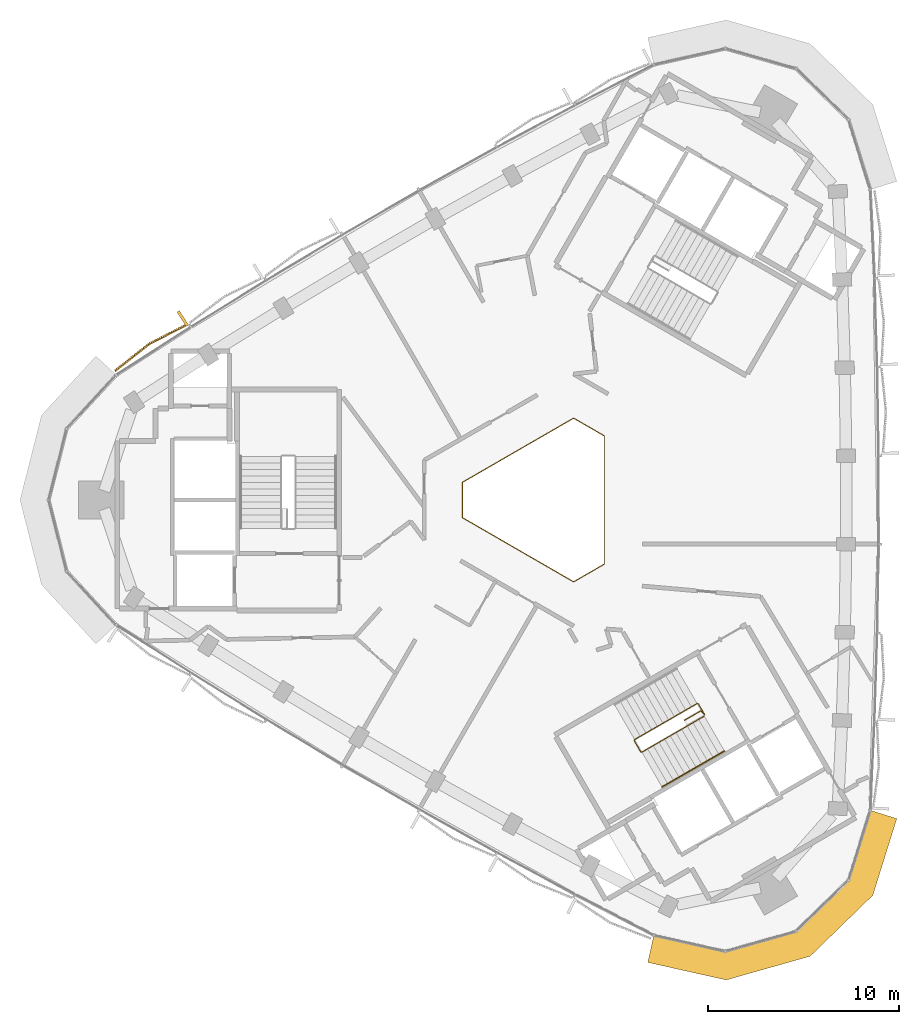
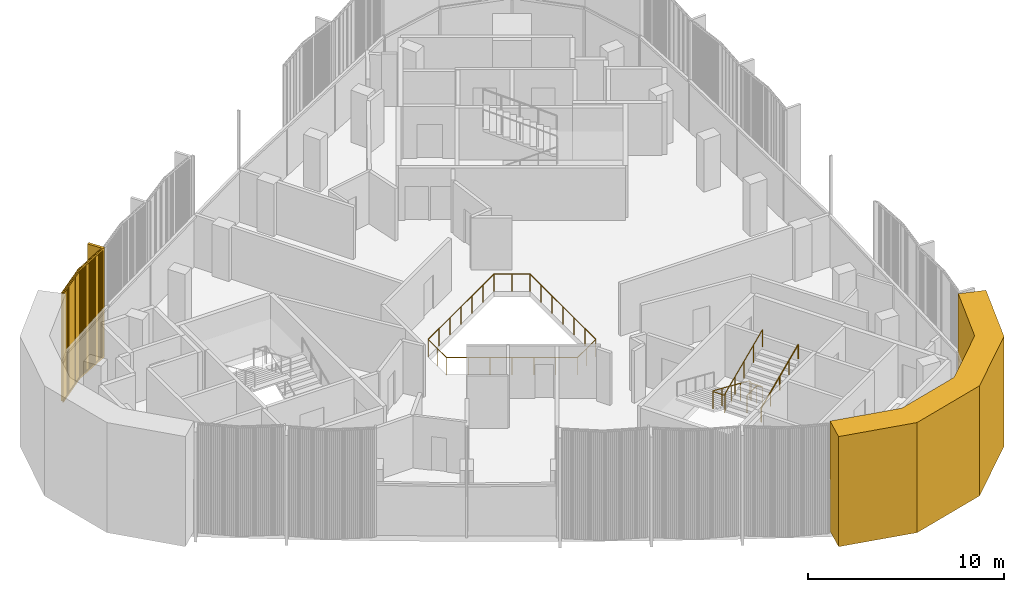
# One storey, part 11 of 13: 3 railings, 2 coverings.
"""IFC4 building model written with IfcOpenShell, lengths in metres."""

from ifc_helpers import new_model, si_unit, direction, frame, frame_2d, origin, origin_2d, place, context, subcontext, project, spatial, polyline, rectangle, circle, outline, extrude, source, transform, mapped, material, layer, layer_set, type_object, element, save


model = new_model("IFC4")

# Units and contexts
model_context = context("Model", 3, precision=1e-05, world=origin(), true_north=direction((0.0, 1.0)))
body_context = subcontext(model_context, "Body", "Model", "MODEL_VIEW")
ifc_project = project(units=[si_unit("LENGTHUNIT", "METRE"), si_unit("AREAUNIT", "SQUARE_METRE"), si_unit("VOLUMEUNIT", "CUBIC_METRE"), si_unit("PLANEANGLEUNIT", "RADIAN"), si_unit("MASSUNIT", "GRAM", prefix="KILO")], contexts=[model_context])

# Site, building, storey
site_placement = place(None, origin())
site = spatial("IfcSite", under=ifc_project, at=site_placement, CompositionType="ELEMENT")
building_placement = place(site_placement, origin())
building = spatial("IfcBuilding", under=site, at=building_placement, Name="Tamra Quay Hotel Tower", CompositionType="ELEMENT")
storey_placement = place(building_placement, frame((0.0, 0.0, 291.0)))
storey = spatial("IfcBuildingStorey", under=building, at=storey_placement, Name="L73", CompositionType="ELEMENT", Elevation=291.0)

# Covering
ifc_material_1 = material(Name="Precast concrete M60 terracotta-coloured", Category="masonry")
ifc_layer = layer(ifc_material_1, 1.449951171875)
ifc_layer_set = layer_set([ifc_layer], Name="CORNER PIER PANEL")
covering_type_1 = type_object("IfcCoveringType", Name="CORNER PIER PANEL", PredefinedType="CLADDING", material=ifc_layer_set)
covering_1_placement = place(storey_placement, origin())
element("IfcCovering", 1, at=covering_1_placement, inside=storey, type_object=covering_type_1, Name="Corner pier L73.south-west", PredefinedType="CLADDING", context=body_context, shape_type="SweptSolid", body=[
    extrude(outline(polyline([(5.58837890625, -22.740966796875), (5.271240234375, -24.15576171875), (9.366943359375, -25.07421875), (13.759521484375, -23.832275390625), (17.031494140625, -20.649169921875), (18.283935546875, -16.642822265625), (16.89990234375, -16.210205078125), (15.757080078125, -19.865966796875), (13.01171875, -22.536865234375), (9.325927734375, -23.5791015625), (5.58837890625, -22.740966796875)])), origin(), (0.0, 0.0, 1.0), 6.85009765625),
])

# Railings
ifc_material_2 = material(Name="Guard atrium edge 1100")
railing_type_1 = type_object("IfcRailingType", Name="Guard atrium edge 1100", PredefinedType="GUARDRAIL", material=ifc_material_2)
railing_1_placement = place(storey_placement, frame((3.0, -3.34912109375, 0.0)))
element("IfcRailing", 2, at=railing_1_placement, inside=storey, type_object=railing_type_1, Name="G-A", PredefinedType="GUARDRAIL", context=body_context, shape_type="SweptSolid", body=[
    extrude(circle(Radius=0.02392578125, at=origin_2d()), frame((0.0, 0.0, 1.076171875), z_axis=(-0.866251590862, -0.499608027687, 0.0), x_axis=(0.499608027687, -0.866251590862, 0.0)), (0.0, 0.0, 1.0), 1.84716796875),
    extrude(circle(Radius=0.02392578125, at=origin_2d()), frame((-1.60009765625, -0.9228515625, 1.076171875), z_axis=(-0.866065387416, 0.499930739924, 0.0), x_axis=(-0.499930739924, -0.866065387416, 0.0)), (0.0, 0.0, 1.0), 6.69677734375),
    extrude(circle(Radius=0.02392578125, at=origin_2d()), frame((-7.39990234375, 2.425048828125, 1.076171875), z_axis=(0.0, 1.0, 0.0), x_axis=(-1.0, 0.0, 0.0)), (0.0, 0.0, 1.0), 1.84814453125),
    extrude(circle(Radius=0.02392578125, at=origin_2d()), frame((-7.39990234375, 4.273193359375, 1.076171875), z_axis=(0.866065387416, 0.499930739924, 0.0), x_axis=(-0.499930739924, 0.866065387416, 0.0)), (0.0, 0.0, 1.0), 6.69677734375),
    extrude(circle(Radius=0.02392578125, at=origin_2d()), frame((-1.60009765625, 7.62109375, 1.076171875), z_axis=(0.866251590862, -0.499608027687, 0.0), x_axis=(0.499608027687, 0.866251590862, 0.0)), (0.0, 0.0, 1.0), 1.84716796875),
    extrude(circle(Radius=0.02392578125, at=origin_2d()), frame((0.0, 6.6982421875, 1.076171875), z_axis=(0.0, -1.0, 0.0), x_axis=(1.0, 0.0, 0.0)), (0.0, 0.0, 1.0), 6.6982421875),
    extrude(circle(Radius=0.02099609375, at=origin_2d()), origin(), (0.0, 0.0, 1.0), 1.052001953125),
    extrude(circle(Radius=0.02099609375, at=origin_2d()), frame((-0.800048828125, -0.46142578125, 0.0)), (0.0, 0.0, 1.0), 1.052001953125),
    extrude(circle(Radius=0.02099609375, at=origin_2d()), frame((-1.60009765625, -0.9228515625, 0.0)), (0.0, 0.0, 1.0), 1.052001953125),
    extrude(circle(Radius=0.02099609375, at=origin_2d()), frame((-2.566650390625, -0.36474609375, 0.0)), (0.0, 0.0, 1.0), 1.052001953125),
    extrude(circle(Radius=0.02099609375, at=origin_2d()), frame((-3.533447265625, 0.193115234375, 0.0)), (0.0, 0.0, 1.0), 1.052001953125),
    extrude(circle(Radius=0.02099609375, at=origin_2d()), frame((-4.5, 0.7509765625, 0.0)), (0.0, 0.0, 1.0), 1.052001953125),
    extrude(circle(Radius=0.02099609375, at=origin_2d()), frame((-5.466552734375, 1.30908203125, 0.0)), (0.0, 0.0, 1.0), 1.052001953125),
    extrude(circle(Radius=0.02099609375, at=origin_2d()), frame((-6.433349609375, 1.8671875, 0.0)), (0.0, 0.0, 1.0), 1.052001953125),
    extrude(circle(Radius=0.02099609375, at=origin_2d()), frame((-7.39990234375, 2.425048828125, 0.0)), (0.0, 0.0, 1.0), 1.052001953125),
    extrude(circle(Radius=0.02099609375, at=origin_2d()), frame((-7.39990234375, 3.34912109375, 0.0)), (0.0, 0.0, 1.0), 1.052001953125),
    extrude(circle(Radius=0.02099609375, at=origin_2d()), frame((-7.39990234375, 4.273193359375, 0.0)), (0.0, 0.0, 1.0), 1.052001953125),
    extrude(circle(Radius=0.02099609375, at=origin_2d()), frame((-6.433349609375, 4.8310546875, 0.0)), (0.0, 0.0, 1.0), 1.052001953125),
    extrude(circle(Radius=0.02099609375, at=origin_2d()), frame((-5.466552734375, 5.38916015625, 0.0)), (0.0, 0.0, 1.0), 1.052001953125),
    extrude(circle(Radius=0.02099609375, at=origin_2d()), frame((-4.5, 5.947265625, 0.0)), (0.0, 0.0, 1.0), 1.052001953125),
    extrude(circle(Radius=0.02099609375, at=origin_2d()), frame((-3.533447265625, 6.505126953125, 0.0)), (0.0, 0.0, 1.0), 1.052001953125),
    extrude(circle(Radius=0.02099609375, at=origin_2d()), frame((-2.566650390625, 7.06298828125, 0.0)), (0.0, 0.0, 1.0), 1.052001953125),
    extrude(circle(Radius=0.02099609375, at=origin_2d()), frame((-1.60009765625, 7.62109375, 0.0)), (0.0, 0.0, 1.0), 1.052001953125),
    extrude(circle(Radius=0.02099609375, at=origin_2d()), frame((-0.800048828125, 7.15966796875, 0.0)), (0.0, 0.0, 1.0), 1.052001953125),
    extrude(circle(Radius=0.02099609375, at=origin_2d()), frame((0.0, 6.6982421875, 0.0)), (0.0, 0.0, 1.0), 1.052001953125),
    extrude(circle(Radius=0.02099609375, at=origin_2d()), frame((0.0, 5.581787109375, 0.0)), (0.0, 0.0, 1.0), 1.052001953125),
    extrude(circle(Radius=0.02099609375, at=origin_2d()), frame((0.0, 4.465576171875, 0.0)), (0.0, 0.0, 1.0), 1.052001953125),
    extrude(circle(Radius=0.02099609375, at=origin_2d()), frame((0.0, 3.34912109375, 0.0)), (0.0, 0.0, 1.0), 1.052001953125),
    extrude(circle(Radius=0.02099609375, at=origin_2d()), frame((0.0, 2.232666015625, 0.0)), (0.0, 0.0, 1.0), 1.052001953125),
    extrude(circle(Radius=0.02099609375, at=origin_2d()), frame((0.0, 1.116455078125, 0.0)), (0.0, 0.0, 1.0), 1.052001953125),
])
ifc_material_3 = material(Name="Stair guard 1100")
railing_type_2 = type_object("IfcRailingType", Name="Stair guard 1100", PredefinedType="GUARDRAIL", material=ifc_material_3)
railing_2_placement = place(storey_placement, frame((7.179443359375, -11.514892578125, 0.0)))
element("IfcRailing", 3, at=railing_2_placement, inside=storey, type_object=railing_type_2, Name="GR", PredefinedType="GUARDRAIL", context=body_context, shape_type="SweptSolid", body=[
    extrude(circle(Radius=0.02392578125, at=origin_2d()), frame((0.0, 0.0, 1.076171875), z_axis=(0.866010750942, 0.50002537861, 0.0), x_axis=(-0.50002537861, 0.866010750942, 0.0)), (0.0, 0.0, 1.0), 1.0),
    extrude(circle(Radius=0.02392578125, at=origin_2d()), frame((0.865966796875, 0.5, 1.076171875), z_axis=(0.695576653509, -0.718451890591, 0.0), x_axis=(0.718451890591, 0.695576653509, 0.0)), (0.0, 0.0, 1.0), 0.2880859375),
    extrude(circle(Radius=0.02392578125, at=origin_2d()), frame((1.06640625, 0.29296875, 1.076171875), z_axis=(-0.500043078269, 0.866000531106, 0.0), x_axis=(-0.866000531106, -0.500043078269, 0.0)), (0.0, 0.0, 1.0), 0.6591796875),
    extrude(circle(Radius=0.02392578125, at=origin_2d()), frame((0.73681640625, 0.86376953125, 1.076171875), z_axis=(-0.41238007866, 0.110458949641, 0.904290601062), x_axis=(-0.258736085224, -0.965948051503, 0.0)), (0.0, 0.0, 1.0), 0.165771484375),
    extrude(circle(Radius=0.02392578125, at=origin_2d()), frame((0.66845703125, 0.882080078125, 1.22607421875), z_axis=(-0.793081581205, -0.457901355053, 0.401681409319), x_axis=(0.500012686397, -0.866018079166, 0.0)), (0.0, 0.0, 1.0), 4.108154296875),
    extrude(circle(Radius=0.02392578125, at=origin_2d()), frame((-2.589599609375, -0.9990234375, 2.8759765625), z_axis=(-0.256368644879, -0.966579080015, 0.0), x_axis=(0.966579080015, -0.256368644879, 0.0)), (0.0, 0.0, 1.0), 0.070556640625),
    extrude(circle(Radius=0.02392578125, at=origin_2d()), frame((-2.607666015625, -1.067138671875, 2.8759765625), z_axis=(0.499765215335, -0.866160914346, 0.0), x_axis=(0.866160914346, 0.499765215335, 0.0)), (0.0, 0.0, 1.0), 0.658935546875),
    extrude(circle(Radius=0.02392578125, at=origin_2d()), frame((-2.2783203125, -1.637939453125, 2.8759765625), z_axis=(0.41238007866, -0.110458949641, 0.904290601062), x_axis=(0.258736085224, 0.965948051503, 0.0)), (0.0, 0.0, 1.0), 0.165771484375),
    extrude(circle(Radius=0.02392578125, at=origin_2d()), frame((-2.2099609375, -1.65625, 3.02587890625), z_axis=(0.793081581205, 0.457901355053, 0.401681409319), x_axis=(-0.500012686397, 0.866018079166, 0.0)), (0.0, 0.0, 1.0), 4.108154296875),
    extrude(circle(Radius=0.02099609375, at=origin_2d()), origin(), (0.0, 0.0, 1.0), 1.052001953125),
    extrude(circle(Radius=0.02099609375, at=origin_2d()), frame((0.865966796875, 0.5, 0.0)), (0.0, 0.0, 1.0), 1.052001953125),
    extrude(circle(Radius=0.02099609375, at=origin_2d()), frame((1.06640625, 0.29296875, 0.0)), (0.0, 0.0, 1.0), 1.052001953125),
    extrude(circle(Radius=0.02099609375, at=origin_2d()), frame((0.73681640625, 0.86376953125, 0.0)), (0.0, 0.0, 1.0), 1.052001953125),
    extrude(circle(Radius=0.02099609375, at=origin_2d()), frame((0.66845703125, 0.882080078125, 0.14990234375)), (0.0, 0.0, 1.0), 1.052001953125),
    extrude(circle(Radius=0.02099609375, at=origin_2d()), frame((-0.14599609375, 0.411865234375, 0.5625)), (0.0, 0.0, 1.0), 1.052001953125),
    extrude(circle(Radius=0.02099609375, at=origin_2d()), frame((-0.96044921875, -0.05859375, 0.97509765625)), (0.0, 0.0, 1.0), 1.052001953125),
    extrude(circle(Radius=0.02099609375, at=origin_2d()), frame((-1.775146484375, -0.52880859375, 1.387451171875)), (0.0, 0.0, 1.0), 1.052001953125),
    extrude(circle(Radius=0.02099609375, at=origin_2d()), frame((-2.589599609375, -0.9990234375, 1.800048828125)), (0.0, 0.0, 1.0), 1.052001953125),
    extrude(circle(Radius=0.02099609375, at=origin_2d()), frame((-2.607666015625, -1.067138671875, 1.800048828125)), (0.0, 0.0, 1.0), 1.052001953125),
    extrude(circle(Radius=0.02099609375, at=origin_2d()), frame((-2.2783203125, -1.637939453125, 1.800048828125)), (0.0, 0.0, 1.0), 1.052001953125),
    extrude(circle(Radius=0.02099609375, at=origin_2d()), frame((-2.2099609375, -1.65625, 1.949951171875)), (0.0, 0.0, 1.0), 1.052001953125),
    extrude(circle(Radius=0.02099609375, at=origin_2d()), frame((-1.3955078125, -1.18603515625, 2.362548828125)), (0.0, 0.0, 1.0), 1.052001953125),
    extrude(circle(Radius=0.02099609375, at=origin_2d()), frame((-0.5810546875, -0.7158203125, 2.77490234375)), (0.0, 0.0, 1.0), 1.052001953125),
    extrude(circle(Radius=0.02099609375, at=origin_2d()), frame((0.233642578125, -0.245361328125, 3.1875)), (0.0, 0.0, 1.0), 1.052001953125),
    extrude(circle(Radius=0.02099609375, at=origin_2d()), frame((1.048095703125, 0.224853515625, 3.60009765625)), (0.0, 0.0, 1.0), 1.052001953125),
])
ifc_material_4 = material(Name="Stair handrail 900")
railing_type_3 = type_object("IfcRailingType", Name="Stair handrail 900", PredefinedType="HANDRAIL", material=ifc_material_4)
railing_3_placement = place(storey_placement, frame((6.01953125, -14.98974609375, 1.949951171875)))
element("IfcRailing", 4, at=railing_3_placement, inside=storey, type_object=railing_type_3, Name="HR", PredefinedType="HANDRAIL", context=body_context, shape_type="SweptSolid", body=[
    extrude(circle(Radius=0.02392578125, at=origin_2d()), frame((0.0, 0.0, 0.8759765625), z_axis=(0.793081112945, 0.457875966286, 0.40171127416), x_axis=(-0.499992114976, 0.866029956157, 0.0)), (0.0, 0.0, 1.0), 4.10791015625),
    extrude(circle(Radius=0.02099609375, at=origin_2d()), origin(), (0.0, 0.0, 1.0), 0.851806640625),
    extrude(circle(Radius=0.02099609375, at=origin_2d()), frame((0.814453125, 0.47021484375, 0.41259765625)), (0.0, 0.0, 1.0), 0.851806640625),
    extrude(circle(Radius=0.02099609375, at=origin_2d()), frame((1.62890625, 0.9404296875, 0.8251953125)), (0.0, 0.0, 1.0), 0.851806640625),
    extrude(circle(Radius=0.02099609375, at=origin_2d()), frame((2.443359375, 1.41064453125, 1.237548828125)), (0.0, 0.0, 1.0), 0.851806640625),
    extrude(circle(Radius=0.02099609375, at=origin_2d()), frame((3.2578125, 1.880859375, 1.650146484375)), (0.0, 0.0, 1.0), 0.851806640625),
])

# Covering
ifc_material_5 = material(Name="Terracotta baguette extruded", Category="masonry")
covering_type_2 = type_object("IfcCoveringType", Name="BAGUETTE SCREEN NW-V H6850", PredefinedType="USERDEFINED", material=ifc_material_5)
shared_shape = source(origin(), body_context, "Body", "SweptSolid", [
    extrude(rectangle(XDim=2.282958984375, YDim=0.06005859375, at=frame_2d((1.1416015625, 0.030029296875))), frame((-2.2783203125, -0.0576171875, -0.1201171875), z_axis=(0.0, 0.0, 1.0), x_axis=(0.995396198367, -0.09584575252, 0.0)), (0.0, 0.0, 1.0), 0.1201171875),
    extrude(rectangle(XDim=2.282958984375, YDim=0.06005859375, at=frame_2d((1.1416015625, 0.030029296875))), frame((-2.2783203125, -0.0576171875, -6.85009765625), z_axis=(0.0, 0.0, 1.0), x_axis=(0.995396198367, -0.09584575252, 0.0)), (0.0, 0.0, 1.0), 0.1201171875),
    extrude(rectangle(XDim=0.070068359375, YDim=0.10009765625, at=frame_2d((0.03515625, 0.050048828125))), frame((-2.258056640625, -0.1328125, -6.7900390625)), (0.0, 0.0, 1.0), 6.72998046875),
    extrude(rectangle(XDim=0.070068359375, YDim=0.10009765625, at=frame_2d((0.03515625, 0.050048828125))), frame((-2.1591796875, -0.142333984375, -6.7900390625)), (0.0, 0.0, 1.0), 6.72998046875),
    extrude(rectangle(XDim=0.070068359375, YDim=0.10009765625, at=frame_2d((0.03515625, 0.050048828125))), frame((-2.060546875, -0.15185546875, -6.7900390625)), (0.0, 0.0, 1.0), 6.72998046875),
    extrude(rectangle(XDim=0.070068359375, YDim=0.10009765625, at=frame_2d((0.03515625, 0.050048828125))), frame((-1.961669921875, -0.161376953125, -6.7900390625)), (0.0, 0.0, 1.0), 6.72998046875),
    extrude(rectangle(XDim=0.070068359375, YDim=0.10009765625, at=frame_2d((0.03515625, 0.050048828125))), frame((-1.86279296875, -0.1708984375, -6.7900390625)), (0.0, 0.0, 1.0), 6.72998046875),
    extrude(rectangle(XDim=0.070068359375, YDim=0.10009765625, at=frame_2d((0.03515625, 0.050048828125))), frame((-1.76416015625, -0.180419921875, -6.7900390625)), (0.0, 0.0, 1.0), 6.72998046875),
    extrude(rectangle(XDim=0.070068359375, YDim=0.10009765625, at=frame_2d((0.03515625, 0.050048828125))), frame((-1.665283203125, -0.18994140625, -6.7900390625)), (0.0, 0.0, 1.0), 6.72998046875),
    extrude(rectangle(XDim=0.070068359375, YDim=0.10009765625, at=frame_2d((0.03515625, 0.050048828125))), frame((-1.56640625, -0.199462890625, -6.7900390625)), (0.0, 0.0, 1.0), 6.72998046875),
    extrude(rectangle(XDim=0.070068359375, YDim=0.10009765625, at=frame_2d((0.03515625, 0.050048828125))), frame((-1.4677734375, -0.208984375, -6.7900390625)), (0.0, 0.0, 1.0), 6.72998046875),
    extrude(rectangle(XDim=0.070068359375, YDim=0.10009765625, at=frame_2d((0.03515625, 0.050048828125))), frame((-1.368896484375, -0.21826171875, -6.7900390625)), (0.0, 0.0, 1.0), 6.72998046875),
    extrude(rectangle(XDim=0.070068359375, YDim=0.10009765625, at=frame_2d((0.03515625, 0.050048828125))), frame((-1.27001953125, -0.227783203125, -6.7900390625)), (0.0, 0.0, 1.0), 6.72998046875),
    extrude(rectangle(XDim=0.070068359375, YDim=0.10009765625, at=frame_2d((0.03515625, 0.050048828125))), frame((-1.171142578125, -0.2373046875, -6.7900390625)), (0.0, 0.0, 1.0), 6.72998046875),
    extrude(rectangle(XDim=0.070068359375, YDim=0.10009765625, at=frame_2d((0.03515625, 0.050048828125))), frame((-1.072509765625, -0.246826171875, -6.7900390625)), (0.0, 0.0, 1.0), 6.72998046875),
    extrude(rectangle(XDim=0.070068359375, YDim=0.10009765625, at=frame_2d((0.03515625, 0.050048828125))), frame((-0.9736328125, -0.25634765625, -6.7900390625)), (0.0, 0.0, 1.0), 6.72998046875),
    extrude(rectangle(XDim=0.070068359375, YDim=0.10009765625, at=frame_2d((0.03515625, 0.050048828125))), frame((-0.874755859375, -0.265869140625, -6.7900390625)), (0.0, 0.0, 1.0), 6.72998046875),
    extrude(rectangle(XDim=0.070068359375, YDim=0.10009765625, at=frame_2d((0.03515625, 0.050048828125))), frame((-0.776123046875, -0.275390625, -6.7900390625)), (0.0, 0.0, 1.0), 6.72998046875),
    extrude(rectangle(XDim=0.070068359375, YDim=0.10009765625, at=frame_2d((0.03515625, 0.050048828125))), frame((-0.67724609375, -0.284912109375, -6.7900390625)), (0.0, 0.0, 1.0), 6.72998046875),
    extrude(rectangle(XDim=0.070068359375, YDim=0.10009765625, at=frame_2d((0.03515625, 0.050048828125))), frame((-0.578369140625, -0.29443359375, -6.7900390625)), (0.0, 0.0, 1.0), 6.72998046875),
    extrude(rectangle(XDim=0.070068359375, YDim=0.10009765625, at=frame_2d((0.03515625, 0.050048828125))), frame((-0.479736328125, -0.303955078125, -6.7900390625)), (0.0, 0.0, 1.0), 6.72998046875),
    extrude(rectangle(XDim=0.070068359375, YDim=0.10009765625, at=frame_2d((0.03515625, 0.050048828125))), frame((-0.380859375, -0.3134765625, -6.7900390625)), (0.0, 0.0, 1.0), 6.72998046875),
    extrude(rectangle(XDim=0.070068359375, YDim=0.10009765625, at=frame_2d((0.03515625, 0.050048828125))), frame((-0.281982421875, -0.322998046875, -6.7900390625)), (0.0, 0.0, 1.0), 6.72998046875),
    extrude(rectangle(XDim=0.070068359375, YDim=0.10009765625, at=frame_2d((0.03515625, 0.050048828125))), frame((-0.18310546875, -0.33251953125, -6.7900390625)), (0.0, 0.0, 1.0), 6.72998046875),
    extrude(rectangle(XDim=0.070068359375, YDim=0.10009765625, at=frame_2d((0.03515625, 0.050048828125))), frame((-0.08447265625, -0.342041015625, -6.7900390625)), (0.0, 0.0, 1.0), 6.72998046875),
    extrude(rectangle(XDim=2.282958984375, YDim=0.06005859375, at=frame_2d((1.1416015625, 0.030029296875))), frame((0.005859375, -0.276611328125, -0.1201171875), z_axis=(0.0, 0.0, 1.0), x_axis=(0.995396198367, 0.09584575252, 0.0)), (0.0, 0.0, 1.0), 0.1201171875),
    extrude(rectangle(XDim=2.282958984375, YDim=0.06005859375, at=frame_2d((1.1416015625, 0.030029296875))), frame((0.005859375, -0.276611328125, -6.85009765625), z_axis=(0.0, 0.0, 1.0), x_axis=(0.995396198367, 0.09584575252, 0.0)), (0.0, 0.0, 1.0), 0.1201171875),
    extrude(rectangle(XDim=0.070068359375, YDim=0.10009765625, at=frame_2d((0.03515625, 0.050048828125))), frame((0.014404296875, -0.342041015625, -6.7900390625)), (0.0, 0.0, 1.0), 6.72998046875),
    extrude(rectangle(XDim=0.070068359375, YDim=0.10009765625, at=frame_2d((0.03515625, 0.050048828125))), frame((0.11328125, -0.33251953125, -6.7900390625)), (0.0, 0.0, 1.0), 6.72998046875),
    extrude(rectangle(XDim=0.070068359375, YDim=0.10009765625, at=frame_2d((0.03515625, 0.050048828125))), frame((0.2119140625, -0.322998046875, -6.7900390625)), (0.0, 0.0, 1.0), 6.72998046875),
    extrude(rectangle(XDim=0.070068359375, YDim=0.10009765625, at=frame_2d((0.03515625, 0.050048828125))), frame((0.310791015625, -0.3134765625, -6.7900390625)), (0.0, 0.0, 1.0), 6.72998046875),
    extrude(rectangle(XDim=0.070068359375, YDim=0.10009765625, at=frame_2d((0.03515625, 0.050048828125))), frame((0.40966796875, -0.303955078125, -6.7900390625)), (0.0, 0.0, 1.0), 6.72998046875),
    extrude(rectangle(XDim=0.070068359375, YDim=0.10009765625, at=frame_2d((0.03515625, 0.050048828125))), frame((0.50830078125, -0.29443359375, -6.7900390625)), (0.0, 0.0, 1.0), 6.72998046875),
    extrude(rectangle(XDim=0.070068359375, YDim=0.10009765625, at=frame_2d((0.03515625, 0.050048828125))), frame((0.607177734375, -0.284912109375, -6.7900390625)), (0.0, 0.0, 1.0), 6.72998046875),
    extrude(rectangle(XDim=0.070068359375, YDim=0.10009765625, at=frame_2d((0.03515625, 0.050048828125))), frame((0.7060546875, -0.275390625, -6.7900390625)), (0.0, 0.0, 1.0), 6.72998046875),
    extrude(rectangle(XDim=0.070068359375, YDim=0.10009765625, at=frame_2d((0.03515625, 0.050048828125))), frame((0.804931640625, -0.265869140625, -6.7900390625)), (0.0, 0.0, 1.0), 6.72998046875),
    extrude(rectangle(XDim=0.070068359375, YDim=0.10009765625, at=frame_2d((0.03515625, 0.050048828125))), frame((0.903564453125, -0.25634765625, -6.7900390625)), (0.0, 0.0, 1.0), 6.72998046875),
    extrude(rectangle(XDim=0.070068359375, YDim=0.10009765625, at=frame_2d((0.03515625, 0.050048828125))), frame((1.00244140625, -0.246826171875, -6.7900390625)), (0.0, 0.0, 1.0), 6.72998046875),
    extrude(rectangle(XDim=0.070068359375, YDim=0.10009765625, at=frame_2d((0.03515625, 0.050048828125))), frame((1.101318359375, -0.2373046875, -6.7900390625)), (0.0, 0.0, 1.0), 6.72998046875),
    extrude(rectangle(XDim=0.070068359375, YDim=0.10009765625, at=frame_2d((0.03515625, 0.050048828125))), frame((1.199951171875, -0.227783203125, -6.7900390625)), (0.0, 0.0, 1.0), 6.72998046875),
    extrude(rectangle(XDim=0.070068359375, YDim=0.10009765625, at=frame_2d((0.03515625, 0.050048828125))), frame((1.298828125, -0.21826171875, -6.7900390625)), (0.0, 0.0, 1.0), 6.72998046875),
    extrude(rectangle(XDim=0.070068359375, YDim=0.10009765625, at=frame_2d((0.03515625, 0.050048828125))), frame((1.397705078125, -0.208984375, -6.7900390625)), (0.0, 0.0, 1.0), 6.72998046875),
    extrude(rectangle(XDim=0.070068359375, YDim=0.10009765625, at=frame_2d((0.03515625, 0.050048828125))), frame((1.49658203125, -0.199462890625, -6.7900390625)), (0.0, 0.0, 1.0), 6.72998046875),
    extrude(rectangle(XDim=0.070068359375, YDim=0.10009765625, at=frame_2d((0.03515625, 0.050048828125))), frame((1.59521484375, -0.18994140625, -6.7900390625)), (0.0, 0.0, 1.0), 6.72998046875),
    extrude(rectangle(XDim=0.070068359375, YDim=0.10009765625, at=frame_2d((0.03515625, 0.050048828125))), frame((1.694091796875, -0.180419921875, -6.7900390625)), (0.0, 0.0, 1.0), 6.72998046875),
    extrude(rectangle(XDim=0.070068359375, YDim=0.10009765625, at=frame_2d((0.03515625, 0.050048828125))), frame((1.79296875, -0.1708984375, -6.7900390625)), (0.0, 0.0, 1.0), 6.72998046875),
    extrude(rectangle(XDim=0.070068359375, YDim=0.10009765625, at=frame_2d((0.03515625, 0.050048828125))), frame((1.8916015625, -0.161376953125, -6.7900390625)), (0.0, 0.0, 1.0), 6.72998046875),
    extrude(rectangle(XDim=0.070068359375, YDim=0.10009765625, at=frame_2d((0.03515625, 0.050048828125))), frame((1.990478515625, -0.15185546875, -6.7900390625)), (0.0, 0.0, 1.0), 6.72998046875),
    extrude(rectangle(XDim=0.070068359375, YDim=0.10009765625, at=frame_2d((0.03515625, 0.050048828125))), frame((2.08935546875, -0.142333984375, -6.7900390625)), (0.0, 0.0, 1.0), 6.72998046875),
    extrude(rectangle(XDim=0.070068359375, YDim=0.10009765625, at=frame_2d((0.03515625, 0.050048828125))), frame((2.18798828125, -0.1328125, -6.7900390625)), (0.0, 0.0, 1.0), 6.72998046875),
    extrude(rectangle(XDim=0.14990234375, YDim=0.902099609375, at=frame_2d((0.074951171875, 0.451171875))), frame((-2.2724609375, -0.89990234375, -6.85009765625)), (0.0, 0.0, 1.0), 6.85009765625),
])
covering_2_placement = place(storey_placement, frame((-20.62353515625, 7.914794921875, 6.85009765625), z_axis=(0.0, 0.0, 1.0), x_axis=(-0.841664986899, -0.540000046137, 0.0)))
element("IfcCovering", 5, at=covering_2_placement, inside=storey, type_object=covering_type_2, Name="Baguette screen L73.NW.f06", ObjectType="BAGUETTE SCREEN", PredefinedType="USERDEFINED", context=body_context, shape_type="MappedRepresentation", body=[
    mapped(shared_shape, transform((0.0, 0.0, 0.0), scale=1.0)),
])

save(model, "model.ifc")
